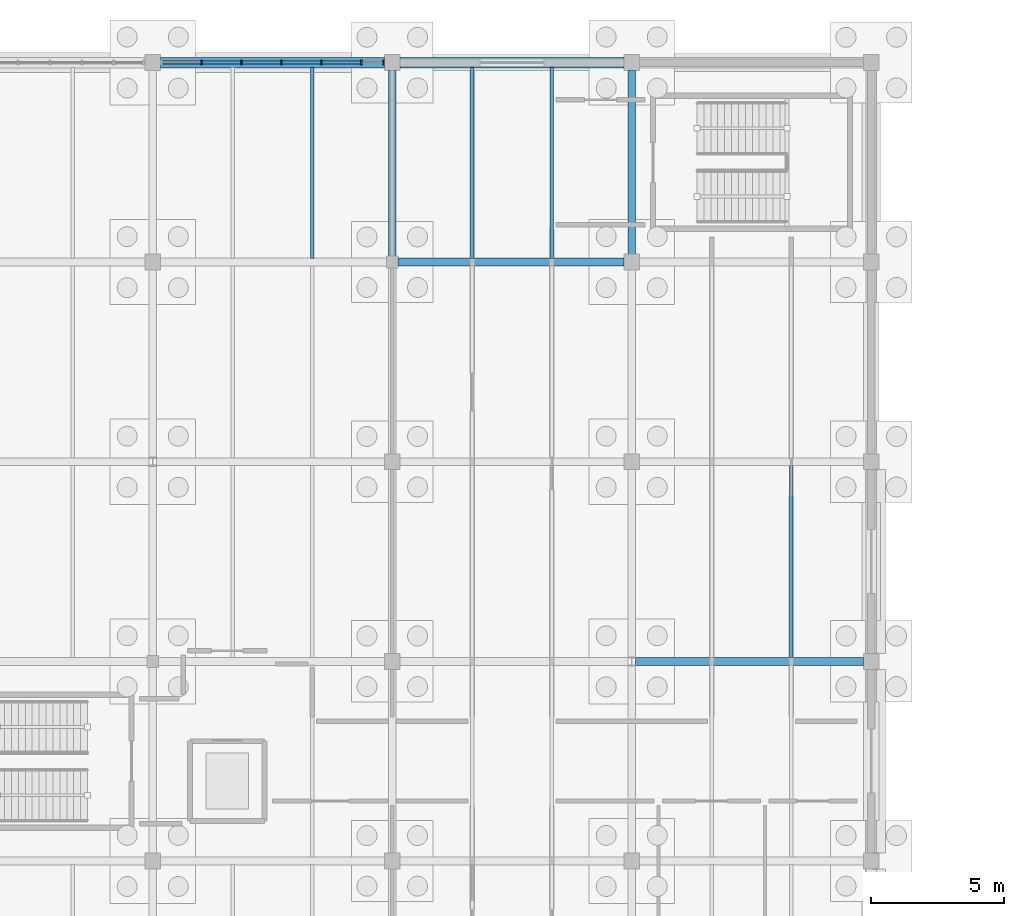
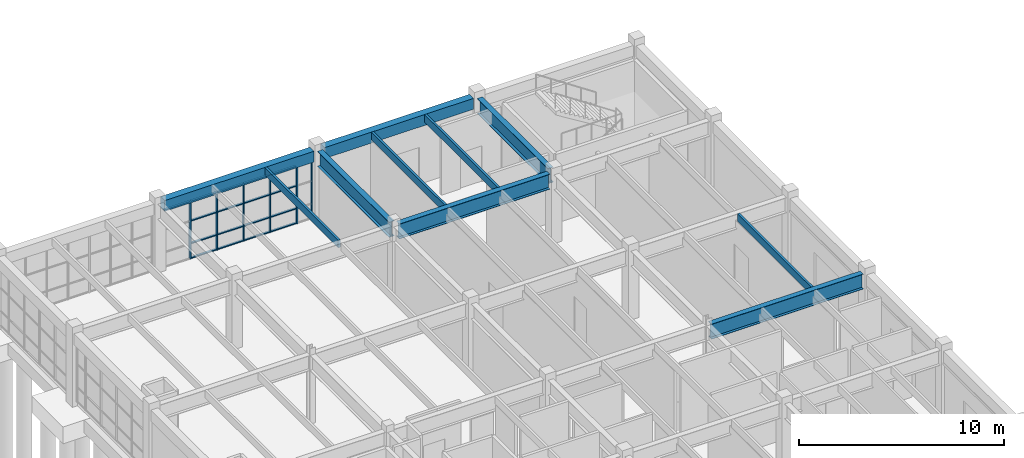
# One storey, part 36 of 93: 23 members, 10 beams, 1 element without a shape of its own.
"""IFC4 building model written with IfcOpenShell, lengths in metres."""

import ifcopenshell
import ifcopenshell.guid

model = None  # the IFC model being written
_history = None  # IfcOwnerHistory: only IFC2X3 demands one
_inside = {}  # id of a spatial element -> (the spatial element, [elements in it])
_under = {}  # id of a project, library or spatial element -> (it, [spatial elements below it])
_declared = {}  # id of a project -> (the project, [libraries it declares])
_typed = {}  # id of a type object -> (the type object, [elements of that type])
_made_of = {}  # id of a material, layer set ... -> (it, [elements and type objects made of it])


def new_model(schema):
    """Start an empty IFC model of exactly this schema.

    Asked for "IFC4X3", IfcOpenShell would pick the latest addendum, in which some entities
    have other attributes; the version numbers below select the first issue.
    IFC2X3 requires an IfcOwnerHistory on every rooted entity: one is made here for all.
    """
    global model, _history
    if schema == "IFC4X3":
        model = ifcopenshell.file(schema_version=(4, 3, 0, 0))
    else:
        model = ifcopenshell.file(schema=schema)
    _inside.clear()
    _under.clear()
    _declared.clear()
    _typed.clear()
    _made_of.clear()
    _history = None
    if model.schema == "IFC2X3":
        org = make("IfcOrganization", Name="unknown")
        user = make(
            "IfcPersonAndOrganization",
            ThePerson=make("IfcPerson", FamilyName="unknown"),
            TheOrganization=org,
        )
        app = make(
            "IfcApplication",
            ApplicationDeveloper=org,
            Version="unknown",
            ApplicationFullName="unknown",
            ApplicationIdentifier="unknown",
        )
        _history = make(
            "IfcOwnerHistory",
            OwningUser=user,
            OwningApplication=app,
            ChangeAction="ADDED",
            CreationDate=0,
        )
    return model


def make(cls, **values):
    """One entity of the class cls with the attributes given. An attribute that is None is left unset."""
    return model.create_entity(
        cls, **{name: value for name, value in values.items() if value is not None}
    )


def rooted(cls, **values):
    """An entity with a GlobalId (a new one), such as an element, a storey or a relation."""
    return make(cls, GlobalId=ifcopenshell.guid.new(), OwnerHistory=_history, **values)


def si_unit(unit_type, name, prefix=None):
    """IfcSIUnit, for example si_unit("LENGTHUNIT", "METRE", prefix="MILLI")."""
    return make("IfcSIUnit", UnitType=unit_type, Prefix=prefix, Name=name)


def assignment(units):
    """IfcUnitAssignment: the units of a project."""
    return None if units is None else make("IfcUnitAssignment", Units=units)


def point(xyz):
    """IfcCartesianPoint."""
    return None if xyz is None else make("IfcCartesianPoint", Coordinates=xyz)


def direction(xyz):
    """IfcDirection."""
    return None if xyz is None else make("IfcDirection", DirectionRatios=xyz)


def frame(location, z_axis=None, x_axis=None):
    """IfcAxis2Placement3D, a coordinate frame: its origin and axes. An axis left out is left unset."""
    return make(
        "IfcAxis2Placement3D",
        Location=point(location),
        Axis=direction(z_axis),
        RefDirection=direction(x_axis),
    )


def frame_2d(location, x_axis=None):
    """IfcAxis2Placement2D, a coordinate frame in the plane: its origin and x axis."""
    return make(
        "IfcAxis2Placement2D", Location=point(location), RefDirection=direction(x_axis)
    )


def origin():
    """The frame at (0, 0, 0) with its axes left unset."""
    return frame((0.0, 0.0, 0.0))


def origin_2d():
    """The frame at (0, 0) in the plane with its x axis left unset."""
    return frame_2d((0.0, 0.0))


def place(relative_to, where):
    """IfcLocalPlacement: puts the frame where relative to a parent placement (None: the world)."""
    return make(
        "IfcLocalPlacement", PlacementRelTo=relative_to, RelativePlacement=where
    )


def context(
    kind, dimensions, precision=None, world=None, true_north=None, identifier=None
):
    """IfcGeometricRepresentationContext, for example the 3D "Model" context."""
    return make(
        "IfcGeometricRepresentationContext",
        ContextIdentifier=identifier,
        ContextType=kind,
        CoordinateSpaceDimension=dimensions,
        Precision=precision,
        WorldCoordinateSystem=world,
        TrueNorth=true_north,
    )


def subcontext(parent, identifier, kind, view, scale=None):
    """IfcGeometricRepresentationSubContext, for example "Body" below "Model"."""
    return make(
        "IfcGeometricRepresentationSubContext",
        ContextIdentifier=identifier,
        ContextType=kind,
        ParentContext=parent,
        TargetScale=scale,
        TargetView=view,
    )


def project(units=None, contexts=None):
    """IfcProject with its units and contexts."""
    return rooted(
        "IfcProject",
        Name="project",
        RepresentationContexts=contexts,
        UnitsInContext=assignment(units),
    )


def spatial(cls, under=None, at=None, **own):
    """A site, building, storey or space (cls), placed at a placement, below another one or the project."""
    s = rooted(cls, ObjectPlacement=at, **own)
    if under is not None:
        _under.setdefault(under.id(), (under, []))[1].append(s)
    return s


def profile(cls, at=None, kind="AREA", **sizes):
    """A parametric profile (cls). Its sizes go by their IFC names, for example OverallWidth=200.0."""
    return make(cls, ProfileType=kind, Position=at, **sizes)


def rectangle(**sizes):
    """IfcRectangleProfileDef."""
    return profile("IfcRectangleProfileDef", **sizes)


def i_section(**sizes):
    """IfcIShapeProfileDef."""
    return profile("IfcIShapeProfileDef", **sizes)


def extrude(swept, where, along, depth):
    """IfcExtrudedAreaSolid: the profile swept, set in the frame where, extruded along a direction by depth."""
    return make(
        "IfcExtrudedAreaSolid",
        SweptArea=swept,
        Position=where,
        ExtrudedDirection=direction(along),
        Depth=depth,
    )


def shape(context_of_items, identifier, shape_type, items):
    """IfcShapeRepresentation: the items that make up one representation, for example the "Body"."""
    return make(
        "IfcShapeRepresentation",
        ContextOfItems=context_of_items,
        RepresentationIdentifier=identifier,
        RepresentationType=shape_type,
        Items=items,
    )


def material(Name=None, Category=None):
    """IfcMaterial."""
    return make("IfcMaterial", Name=Name, Category=Category)


def layer(
    of_material, thickness, ventilated=None, Name=None, Category=None, Priority=None
):
    """IfcMaterialLayer: one layer of a wall or slab, of a material (None: an air gap)."""
    return make(
        "IfcMaterialLayer",
        Material=of_material,
        LayerThickness=thickness,
        IsVentilated=ventilated,
        Name=Name,
        Category=Category,
        Priority=Priority,
    )


def layer_set(layers, Name=None):
    """IfcMaterialLayerSet."""
    return make("IfcMaterialLayerSet", MaterialLayers=layers, LayerSetName=Name)


def material_profile(
    of_material, cross_section, Name=None, Category=None, Priority=None
):
    """IfcMaterialProfile: a cross section and its material."""
    return make(
        "IfcMaterialProfile",
        Name=Name,
        Material=of_material,
        Profile=cross_section,
        Priority=Priority,
        Category=Category,
    )


def profile_set(profiles, Name=None, composite=None):
    """IfcMaterialProfileSet."""
    return make(
        "IfcMaterialProfileSet",
        Name=Name,
        MaterialProfiles=profiles,
        CompositeProfile=composite,
    )


def made_of(thing, what):
    """Note that an element or type object is made of a material, layer set ...; save() writes the relation."""
    if what is not None:
        _made_of.setdefault(what.id(), (what, []))[1].append(thing)
    return thing


def type_object(cls, material=None, **own):
    """A type object (cls), such as IfcWallType, which elements share."""
    return made_of(rooted(cls, **own), material)


def element(
    cls,
    number,
    at=None,
    inside=None,
    cuts=None,
    type_object=None,
    material=None,
    context=None,
    identifier="Body",
    shape_type=None,
    held_by="IfcProductDefinitionShape",
    body=None,
    shapes=None,
    **own,
):
    """One element of the class cls, such as IfcWall. Its Tag is "e" and its number.

    at: its placement. inside: the storey or other place that contains it. cuts: it is an
    opening in that element (IfcRelVoidsElement). A single representation is given by context,
    identifier, shape_type and body (its items); several are given by shapes. held_by: the class
    of the entity that holds the representations. save() writes the other relations.
    """
    e = rooted(cls, Tag="e%d" % number, ObjectPlacement=at, **own)
    if body is not None:
        shapes = [shape(context, identifier, shape_type, body)]
    if shapes is not None:
        e.Representation = make(held_by, Representations=shapes)
    if inside is not None:
        _inside.setdefault(inside.id(), (inside, []))[1].append(e)
    if cuts is not None:
        rooted(
            "IfcRelVoidsElement", RelatingBuildingElement=cuts, RelatedOpeningElement=e
        )
    if type_object is not None:
        _typed.setdefault(type_object.id(), (type_object, []))[1].append(e)
    return made_of(e, material)


def aggregate(whole, parts):
    """IfcRelAggregates: a whole, such as a stair, and the parts it consists of."""
    return rooted("IfcRelAggregates", RelatingObject=whole, RelatedObjects=parts)


def save(model, path):
    """Write the relations noted so far, then the file.

    IfcRelAggregates (storeys below a building ...), IfcRelContainedInSpatialStructure (elements
    in a storey), IfcRelDefinesByType, IfcRelAssociatesMaterial and IfcRelDeclares: one each for
    every whole, place, type object, material and project.
    """
    for whole, parts in _under.values():
        aggregate(whole, parts)
    for where, things in _inside.values():
        rooted(
            "IfcRelContainedInSpatialStructure",
            RelatedElements=things,
            RelatingStructure=where,
        )
    for kind, things in _typed.values():
        rooted("IfcRelDefinesByType", RelatedObjects=things, RelatingType=kind)
    for what, things in _made_of.values():
        rooted("IfcRelAssociatesMaterial", RelatedObjects=things, RelatingMaterial=what)
    for by, libraries in _declared.values():
        rooted("IfcRelDeclares", RelatingContext=by, RelatedDefinitions=libraries)
    model.write(path)


model = new_model("IFC4")

# Units and contexts
model_context = context("Model", 3, precision=1e-05, world=origin(), true_north=direction((0.0, 1.0)))
body_context = subcontext(model_context, "Body", "Model", "MODEL_VIEW")
ifc_project = project(units=[si_unit("LENGTHUNIT", "METRE"), si_unit("AREAUNIT", "SQUARE_METRE"), si_unit("VOLUMEUNIT", "CUBIC_METRE"), si_unit("PLANEANGLEUNIT", "RADIAN"), si_unit("MASSUNIT", "GRAM", prefix="KILO")], contexts=[model_context])

# Site, building, storey
site_placement = place(None, origin())
site = spatial("IfcSite", under=ifc_project, at=site_placement, CompositionType="ELEMENT")
building_placement = place(site_placement, origin())
building = spatial("IfcBuilding", under=site, at=building_placement, Name="Marnridge Secondary College", CompositionType="ELEMENT")
storey_placement = place(building_placement, origin())
storey = spatial("IfcBuildingStorey", under=building, at=storey_placement, Name="L00", CompositionType="ELEMENT", Elevation=0.0)

# Beams
ifc_material_1 = material(Name="Engineered timber LVL E13.2", Category="wood")
ifc_material_profile_1 = material_profile(ifc_material_1, rectangle(XDim=0.1259765625, YDim=0.449951171875, at=origin_2d()), Name="LVL 126x450")
ifc_profile_set_1 = profile_set([ifc_material_profile_1], Name="Engineered timber LVL E13.2")
beam_type_1 = type_object("IfcBeamType", Name="BM-LVL450-INT", PredefinedType="JOIST", material=ifc_profile_set_1)
for number, where, z_axis, x_axis, name in (
    (1, (15.0, 112.64404296875, 3.875), (0.0, 1.0, 0.0), (-1.0, 0.0, 0.0), "Beam BJ-L00-0292"),
    (2, (21.0, 112.64404296875, 3.875), (0.0, 1.0, 0.0), (-1.0, 0.0, 0.0), "Beam BJ-L00-0301"),
    (3, (24.0, 112.64404296875, 3.875), (0.0, 1.0, 0.0), (-1.0, 0.0, 0.0), "Beam BJ-L00-0302"),
):
    element("IfcBeam", number, at=place(storey_placement, frame(where, z_axis=z_axis, x_axis=x_axis)), inside=storey, type_object=beam_type_1, Name=name, PredefinedType="JOIST", context=body_context, shape_type="SweptSolid", body=[
        extrude(rectangle(XDim=0.1259765625, YDim=0.449951171875, at=origin_2d()), origin(), (0.0, 0.0, 1.0), 7.161865234375),
    ])
beam_1_placement = place(storey_placement, frame((33.0, 97.64404296875, 3.875), z_axis=(0.0, 1.0, 0.0), x_axis=(-1.0, 0.0, 0.0)))
element("IfcBeam", 4, at=beam_1_placement, inside=storey, type_object=beam_type_1, Name="Beam BJ-L00-0308", PredefinedType="JOIST", context=body_context, shape_type="SweptSolid", body=[
    extrude(rectangle(XDim=0.1259765625, YDim=0.449951171875, at=origin_2d()), origin(), (0.0, 0.0, 1.0), 7.2119140625),
])
ifc_material_2 = material(Name="Concrete C40/50 (AS 3600 N40, 40 MPa)", Category="concrete")
ifc_material_profile_2 = material_profile(ifc_material_2, rectangle(XDim=0.39990234375, YDim=0.64990234375, at=origin_2d()), Name="RC 400x650")
ifc_profile_set_2 = profile_set([ifc_material_profile_2], Name="Concrete C40/50 (AS 3600 N40, 40 MPa)")
beam_type_2 = type_object("IfcBeamType", Name="BM-RC4065-EXT", PredefinedType="SPANDREL", material=ifc_profile_set_2)
for number, where, z_axis, x_axis, name in (
    (5, (9.2939453125, 120.0, 3.77490234375), (1.0, 0.0, 0.0), (0.0, 1.0, 0.0), "Beam BS-L00-0247"),
    (6, (18.2939453125, 120.0, 3.77490234375), (1.0, 0.0, 0.0), (0.0, 1.0, 0.0), "Beam BS-L00-0258"),
):
    element("IfcBeam", number, at=place(storey_placement, frame(where, z_axis=z_axis, x_axis=x_axis)), inside=storey, type_object=beam_type_2, Name=name, PredefinedType="SPANDREL", context=body_context, shape_type="SweptSolid", body=[
        extrude(rectangle(XDim=0.39990234375, YDim=0.64990234375, at=origin_2d()), origin(), (0.0, 0.0, 1.0), 8.412109375),
    ])
ifc_material_3 = material(Name="Structural steel Grade 350 (AS/NZS 3679.1/.2, fy = 340-360 MPa)", Category="steel")
ifc_material_profile_3 = material_profile(ifc_material_3, i_section(OverallWidth=0.300048828125, OverallDepth=0.89990234375, WebThickness=0.011962890625, FlangeThickness=0.02001953125, at=origin_2d()), Name="900WB175")
ifc_profile_set_3 = profile_set([ifc_material_profile_3], Name="Structural steel Grade 350 (AS/NZS 3679.1/.2, fy = 340-360 MPa)")
beam_type_3 = type_object("IfcBeamType", Name="BM-WB900-INT", PredefinedType="BEAM", material=ifc_profile_set_3)
beam_2_placement = place(storey_placement, frame((18.0, 112.718994140625, 3.64990234375), z_axis=(0.0, 1.0, 0.0), x_axis=(-1.0, 0.0, 0.0)))
element("IfcBeam", 7, at=beam_2_placement, inside=storey, type_object=beam_type_3, Name="Beam B-L00-0248", PredefinedType="BEAM", context=body_context, shape_type="SweptSolid", body=[
    extrude(i_section(OverallWidth=0.300048828125, OverallDepth=0.89990234375, WebThickness=0.011962890625, FlangeThickness=0.02001953125, at=origin_2d()), origin(), (0.0, 0.0, 1.0), 6.987060546875),
])
beam_3_placement = place(storey_placement, frame((18.218994140625, 112.5, 3.64990234375), z_axis=(1.0, 0.0, 0.0), x_axis=(0.0, 1.0, 0.0)))
element("IfcBeam", 8, at=beam_3_placement, inside=storey, type_object=beam_type_3, Name="Beam B-L00-0256", PredefinedType="BEAM", context=body_context, shape_type="SweptSolid", body=[
    extrude(i_section(OverallWidth=0.300048828125, OverallDepth=0.89990234375, WebThickness=0.011962890625, FlangeThickness=0.02001953125, at=origin_2d()), origin(), (0.0, 0.0, 1.0), 8.487060546875),
])
beam_4_placement = place(storey_placement, frame((27.0, 112.7939453125, 3.64990234375), z_axis=(0.0, 1.0, 0.0), x_axis=(-1.0, 0.0, 0.0)))
element("IfcBeam", 9, at=beam_4_placement, inside=storey, type_object=beam_type_3, Name="Beam B-L00-0259", PredefinedType="BEAM", context=body_context, shape_type="SweptSolid", body=[
    extrude(i_section(OverallWidth=0.300048828125, OverallDepth=0.89990234375, WebThickness=0.011962890625, FlangeThickness=0.02001953125, at=origin_2d()), origin(), (0.0, 0.0, 1.0), 6.912109375),
])
beam_5_placement = place(storey_placement, frame((27.148681640625, 97.5, 3.64990234375), z_axis=(1.0, 0.0, 0.0), x_axis=(0.0, 1.0, 0.0)))
element("IfcBeam", 10, at=beam_5_placement, inside=storey, type_object=beam_type_3, Name="Beam B-L00-0263", PredefinedType="BEAM", context=body_context, shape_type="SweptSolid", body=[
    extrude(i_section(OverallWidth=0.300048828125, OverallDepth=0.89990234375, WebThickness=0.011962890625, FlangeThickness=0.02001953125, at=origin_2d()), origin(), (0.0, 0.0, 1.0), 8.557373046875),
])

# Curtain wall, members
ifc_material_4 = material(Name="Thermally broken aluminium and low-E glazing", Category="aluminium")
ifc_layer = layer(ifc_material_4, 0.159912109375)
ifc_layer_set = layer_set([ifc_layer], Name="CW-MOD-1500")
curtain_wall_type = type_object("IfcCurtainWallType", Name="CW-MOD-1500", PredefinedType="NOTDEFINED", material=ifc_layer_set)
curtain_wall_placement = place(storey_placement, origin())
curtain_wall = element("IfcCurtainWall", 11, at=curtain_wall_placement, inside=storey, type_object=curtain_wall_type, Name="Unitised curtain wall CW-L00-013", PredefinedType="NOTDEFINED")
ifc_material_5 = material(Name="Anodised aluminium 6063-T6", Category="aluminium")
ifc_material_profile_4 = material_profile(ifc_material_5, rectangle(XDim=0.06005859375, YDim=0.159912109375, at=origin_2d()), Name="ALU 60x160")
ifc_profile_set_4 = profile_set([ifc_material_profile_4], Name="Anodised aluminium 6063-T6")
member_type_1 = type_object("IfcMemberType", Name="CWM-ALU160", PredefinedType="MULLION", material=ifc_profile_set_4)
member_1_placement = place(storey_placement, frame((10.833984375, 120.0, 0.0), z_axis=(0.0, 0.0, 1.0), x_axis=(1.0, 0.0, 0.0)))
member_1 = element("IfcMember", 12, at=member_1_placement, type_object=member_type_1, Name="CW-L00-013 mullion 2", PredefinedType="MULLION", context=body_context, shape_type="SweptSolid", body=[
    extrude(rectangle(XDim=0.06005859375, YDim=0.159912109375, at=origin_2d()), origin(), (0.0, 0.0, 1.0), 3.44189453125),
])
member_2_placement = place(storey_placement, frame((12.333984375, 120.0, 0.0), z_axis=(0.0, 0.0, 1.0), x_axis=(1.0, 0.0, 0.0)))
member_2 = element("IfcMember", 13, at=member_2_placement, type_object=member_type_1, Name="CW-L00-013 mullion 3", PredefinedType="MULLION", context=body_context, shape_type="SweptSolid", body=[
    extrude(rectangle(XDim=0.06005859375, YDim=0.159912109375, at=origin_2d()), origin(), (0.0, 0.0, 1.0), 3.44189453125),
])
member_3_placement = place(storey_placement, frame((13.833984375, 120.0, 0.0), z_axis=(0.0, 0.0, 1.0), x_axis=(1.0, 0.0, 0.0)))
member_3 = element("IfcMember", 14, at=member_3_placement, type_object=member_type_1, Name="CW-L00-013 mullion 4", PredefinedType="MULLION", context=body_context, shape_type="SweptSolid", body=[
    extrude(rectangle(XDim=0.06005859375, YDim=0.159912109375, at=origin_2d()), origin(), (0.0, 0.0, 1.0), 3.44189453125),
])
member_4_placement = place(storey_placement, frame((15.333984375, 120.0, 0.0), z_axis=(0.0, 0.0, 1.0), x_axis=(1.0, 0.0, 0.0)))
member_4 = element("IfcMember", 15, at=member_4_placement, type_object=member_type_1, Name="CW-L00-013 mullion 5", PredefinedType="MULLION", context=body_context, shape_type="SweptSolid", body=[
    extrude(rectangle(XDim=0.06005859375, YDim=0.159912109375, at=origin_2d()), origin(), (0.0, 0.0, 1.0), 3.44189453125),
])
member_5_placement = place(storey_placement, frame((16.833984375, 120.0, 0.0), z_axis=(0.0, 0.0, 1.0), x_axis=(1.0, 0.0, 0.0)))
member_5 = element("IfcMember", 16, at=member_5_placement, type_object=member_type_1, Name="CW-L00-013 mullion 6", PredefinedType="MULLION", context=body_context, shape_type="SweptSolid", body=[
    extrude(rectangle(XDim=0.06005859375, YDim=0.159912109375, at=origin_2d()), origin(), (0.0, 0.0, 1.0), 3.44189453125),
])
member_6_placement = place(storey_placement, frame((17.666015625, 120.0, 0.0), z_axis=(0.0, 0.0, 1.0), x_axis=(1.0, 0.0, 0.0)))
member_6 = element("IfcMember", 17, at=member_6_placement, type_object=member_type_1, Name="CW-L00-013 mullion 7", PredefinedType="MULLION", context=body_context, shape_type="SweptSolid", body=[
    extrude(rectangle(XDim=0.06005859375, YDim=0.159912109375, at=origin_2d()), origin(), (0.0, 0.0, 1.0), 3.44189453125),
])
ifc_material_6 = material(Name="Anodised aluminium 6063-T6", Category="aluminium")
ifc_material_profile_5 = material_profile(ifc_material_6, rectangle(XDim=0.06005859375, YDim=0.1201171875, at=origin_2d()), Name="ALU 60x120")
ifc_profile_set_5 = profile_set([ifc_material_profile_5], Name="Anodised aluminium 6063-T6")
member_type_2 = type_object("IfcMemberType", Name="CWT-ALU120", PredefinedType="USERDEFINED", material=ifc_profile_set_5)
member_7_placement = place(storey_placement, frame((9.364013671875, 120.0, 3.412109375), z_axis=(1.0, 0.0, 0.0), x_axis=(0.0, 0.0, 1.0)))
member_7 = element("IfcMember", 18, at=member_7_placement, type_object=member_type_2, Name="CW-L00-013 transom 1.4", ObjectType="TRANSOM", PredefinedType="USERDEFINED", context=body_context, shape_type="SweptSolid", body=[
    extrude(rectangle(XDim=0.06005859375, YDim=0.1201171875, at=origin_2d()), origin(), (0.0, 0.0, 1.0), 1.43994140625),
])
member_8_placement = place(storey_placement, frame((10.864013671875, 120.0, 0.030029296875), z_axis=(1.0, 0.0, 0.0), x_axis=(0.0, 0.0, 1.0)))
member_8 = element("IfcMember", 19, at=member_8_placement, type_object=member_type_2, Name="CW-L00-013 transom 2.1", ObjectType="TRANSOM", PredefinedType="USERDEFINED", context=body_context, shape_type="SweptSolid", body=[
    extrude(rectangle(XDim=0.06005859375, YDim=0.1201171875, at=origin_2d()), origin(), (0.0, 0.0, 1.0), 1.43994140625),
])
member_9_placement = place(storey_placement, frame((10.864013671875, 120.0, 0.89990234375), z_axis=(1.0, 0.0, 0.0), x_axis=(0.0, 0.0, 1.0)))
member_9 = element("IfcMember", 20, at=member_9_placement, type_object=member_type_2, Name="CW-L00-013 transom 2.2", ObjectType="TRANSOM", PredefinedType="USERDEFINED", context=body_context, shape_type="SweptSolid", body=[
    extrude(rectangle(XDim=0.06005859375, YDim=0.1201171875, at=origin_2d()), origin(), (0.0, 0.0, 1.0), 1.43994140625),
])
member_10_placement = place(storey_placement, frame((10.864013671875, 120.0, 2.25), z_axis=(1.0, 0.0, 0.0), x_axis=(0.0, 0.0, 1.0)))
member_10 = element("IfcMember", 21, at=member_10_placement, type_object=member_type_2, Name="CW-L00-013 transom 2.3", ObjectType="TRANSOM", PredefinedType="USERDEFINED", context=body_context, shape_type="SweptSolid", body=[
    extrude(rectangle(XDim=0.06005859375, YDim=0.1201171875, at=origin_2d()), origin(), (0.0, 0.0, 1.0), 1.43994140625),
])
member_11_placement = place(storey_placement, frame((10.864013671875, 120.0, 3.412109375), z_axis=(1.0, 0.0, 0.0), x_axis=(0.0, 0.0, 1.0)))
member_11 = element("IfcMember", 22, at=member_11_placement, type_object=member_type_2, Name="CW-L00-013 transom 2.4", ObjectType="TRANSOM", PredefinedType="USERDEFINED", context=body_context, shape_type="SweptSolid", body=[
    extrude(rectangle(XDim=0.06005859375, YDim=0.1201171875, at=origin_2d()), origin(), (0.0, 0.0, 1.0), 1.43994140625),
])
member_12_placement = place(storey_placement, frame((12.364013671875, 120.0, 0.030029296875), z_axis=(1.0, 0.0, 0.0), x_axis=(0.0, 0.0, 1.0)))
member_12 = element("IfcMember", 23, at=member_12_placement, type_object=member_type_2, Name="CW-L00-013 transom 3.1", ObjectType="TRANSOM", PredefinedType="USERDEFINED", context=body_context, shape_type="SweptSolid", body=[
    extrude(rectangle(XDim=0.06005859375, YDim=0.1201171875, at=origin_2d()), origin(), (0.0, 0.0, 1.0), 1.43994140625),
])
member_13_placement = place(storey_placement, frame((12.364013671875, 120.0, 0.89990234375), z_axis=(1.0, 0.0, 0.0), x_axis=(0.0, 0.0, 1.0)))
member_13 = element("IfcMember", 24, at=member_13_placement, type_object=member_type_2, Name="CW-L00-013 transom 3.2", ObjectType="TRANSOM", PredefinedType="USERDEFINED", context=body_context, shape_type="SweptSolid", body=[
    extrude(rectangle(XDim=0.06005859375, YDim=0.1201171875, at=origin_2d()), origin(), (0.0, 0.0, 1.0), 1.43994140625),
])
member_14_placement = place(storey_placement, frame((12.364013671875, 120.0, 2.25), z_axis=(1.0, 0.0, 0.0), x_axis=(0.0, 0.0, 1.0)))
member_14 = element("IfcMember", 25, at=member_14_placement, type_object=member_type_2, Name="CW-L00-013 transom 3.3", ObjectType="TRANSOM", PredefinedType="USERDEFINED", context=body_context, shape_type="SweptSolid", body=[
    extrude(rectangle(XDim=0.06005859375, YDim=0.1201171875, at=origin_2d()), origin(), (0.0, 0.0, 1.0), 1.43994140625),
])
member_15_placement = place(storey_placement, frame((12.364013671875, 120.0, 3.412109375), z_axis=(1.0, 0.0, 0.0), x_axis=(0.0, 0.0, 1.0)))
member_15 = element("IfcMember", 26, at=member_15_placement, type_object=member_type_2, Name="CW-L00-013 transom 3.4", ObjectType="TRANSOM", PredefinedType="USERDEFINED", context=body_context, shape_type="SweptSolid", body=[
    extrude(rectangle(XDim=0.06005859375, YDim=0.1201171875, at=origin_2d()), origin(), (0.0, 0.0, 1.0), 1.43994140625),
])
member_16_placement = place(storey_placement, frame((13.864013671875, 120.0, 0.030029296875), z_axis=(1.0, 0.0, 0.0), x_axis=(0.0, 0.0, 1.0)))
member_16 = element("IfcMember", 27, at=member_16_placement, type_object=member_type_2, Name="CW-L00-013 transom 4.1", ObjectType="TRANSOM", PredefinedType="USERDEFINED", context=body_context, shape_type="SweptSolid", body=[
    extrude(rectangle(XDim=0.06005859375, YDim=0.1201171875, at=origin_2d()), origin(), (0.0, 0.0, 1.0), 1.43994140625),
])
member_17_placement = place(storey_placement, frame((13.864013671875, 120.0, 0.89990234375), z_axis=(1.0, 0.0, 0.0), x_axis=(0.0, 0.0, 1.0)))
member_17 = element("IfcMember", 28, at=member_17_placement, type_object=member_type_2, Name="CW-L00-013 transom 4.2", ObjectType="TRANSOM", PredefinedType="USERDEFINED", context=body_context, shape_type="SweptSolid", body=[
    extrude(rectangle(XDim=0.06005859375, YDim=0.1201171875, at=origin_2d()), origin(), (0.0, 0.0, 1.0), 1.43994140625),
])
member_18_placement = place(storey_placement, frame((13.864013671875, 120.0, 2.25), z_axis=(1.0, 0.0, 0.0), x_axis=(0.0, 0.0, 1.0)))
member_18 = element("IfcMember", 29, at=member_18_placement, type_object=member_type_2, Name="CW-L00-013 transom 4.3", ObjectType="TRANSOM", PredefinedType="USERDEFINED", context=body_context, shape_type="SweptSolid", body=[
    extrude(rectangle(XDim=0.06005859375, YDim=0.1201171875, at=origin_2d()), origin(), (0.0, 0.0, 1.0), 1.43994140625),
])
member_19_placement = place(storey_placement, frame((13.864013671875, 120.0, 3.412109375), z_axis=(1.0, 0.0, 0.0), x_axis=(0.0, 0.0, 1.0)))
member_19 = element("IfcMember", 30, at=member_19_placement, type_object=member_type_2, Name="CW-L00-013 transom 4.4", ObjectType="TRANSOM", PredefinedType="USERDEFINED", context=body_context, shape_type="SweptSolid", body=[
    extrude(rectangle(XDim=0.06005859375, YDim=0.1201171875, at=origin_2d()), origin(), (0.0, 0.0, 1.0), 1.43994140625),
])
member_20_placement = place(storey_placement, frame((15.364013671875, 120.0, 0.030029296875), z_axis=(1.0, 0.0, 0.0), x_axis=(0.0, 0.0, 1.0)))
member_20 = element("IfcMember", 31, at=member_20_placement, type_object=member_type_2, Name="CW-L00-013 transom 5.1", ObjectType="TRANSOM", PredefinedType="USERDEFINED", context=body_context, shape_type="SweptSolid", body=[
    extrude(rectangle(XDim=0.06005859375, YDim=0.1201171875, at=origin_2d()), origin(), (0.0, 0.0, 1.0), 1.43994140625),
])
member_21_placement = place(storey_placement, frame((15.364013671875, 120.0, 0.89990234375), z_axis=(1.0, 0.0, 0.0), x_axis=(0.0, 0.0, 1.0)))
member_21 = element("IfcMember", 32, at=member_21_placement, type_object=member_type_2, Name="CW-L00-013 transom 5.2", ObjectType="TRANSOM", PredefinedType="USERDEFINED", context=body_context, shape_type="SweptSolid", body=[
    extrude(rectangle(XDim=0.06005859375, YDim=0.1201171875, at=origin_2d()), origin(), (0.0, 0.0, 1.0), 1.43994140625),
])
member_22_placement = place(storey_placement, frame((15.364013671875, 120.0, 2.25), z_axis=(1.0, 0.0, 0.0), x_axis=(0.0, 0.0, 1.0)))
member_22 = element("IfcMember", 33, at=member_22_placement, type_object=member_type_2, Name="CW-L00-013 transom 5.3", ObjectType="TRANSOM", PredefinedType="USERDEFINED", context=body_context, shape_type="SweptSolid", body=[
    extrude(rectangle(XDim=0.06005859375, YDim=0.1201171875, at=origin_2d()), origin(), (0.0, 0.0, 1.0), 1.43994140625),
])
member_23_placement = place(storey_placement, frame((15.364013671875, 120.0, 3.412109375), z_axis=(1.0, 0.0, 0.0), x_axis=(0.0, 0.0, 1.0)))
member_23 = element("IfcMember", 34, at=member_23_placement, type_object=member_type_2, Name="CW-L00-013 transom 5.4", ObjectType="TRANSOM", PredefinedType="USERDEFINED", context=body_context, shape_type="SweptSolid", body=[
    extrude(rectangle(XDim=0.06005859375, YDim=0.1201171875, at=origin_2d()), origin(), (0.0, 0.0, 1.0), 1.43994140625),
])
aggregate(curtain_wall, [member_1, member_2, member_3, member_4, member_5, member_6, member_7, member_8, member_9, member_10, member_11, member_12, member_13, member_14, member_15, member_16, member_17, member_18, member_19, member_20, member_21, member_22, member_23])

save(model, "model.ifc")
